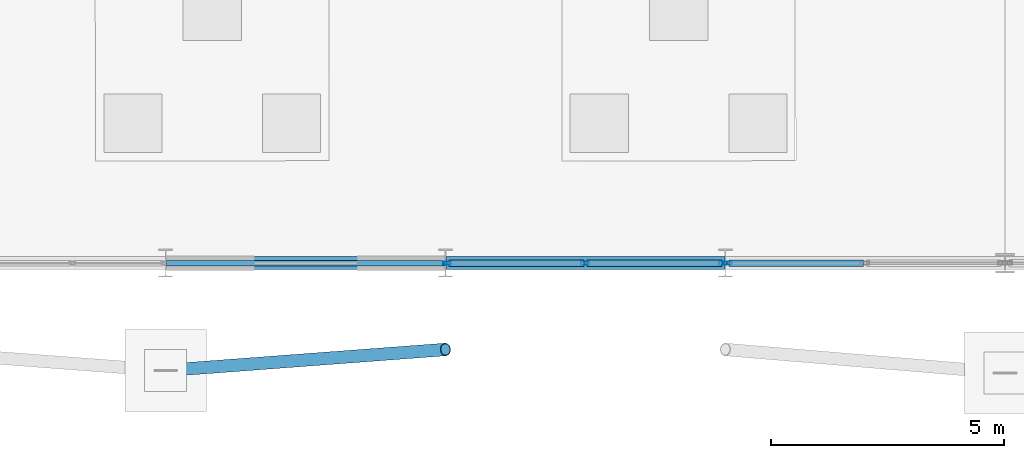
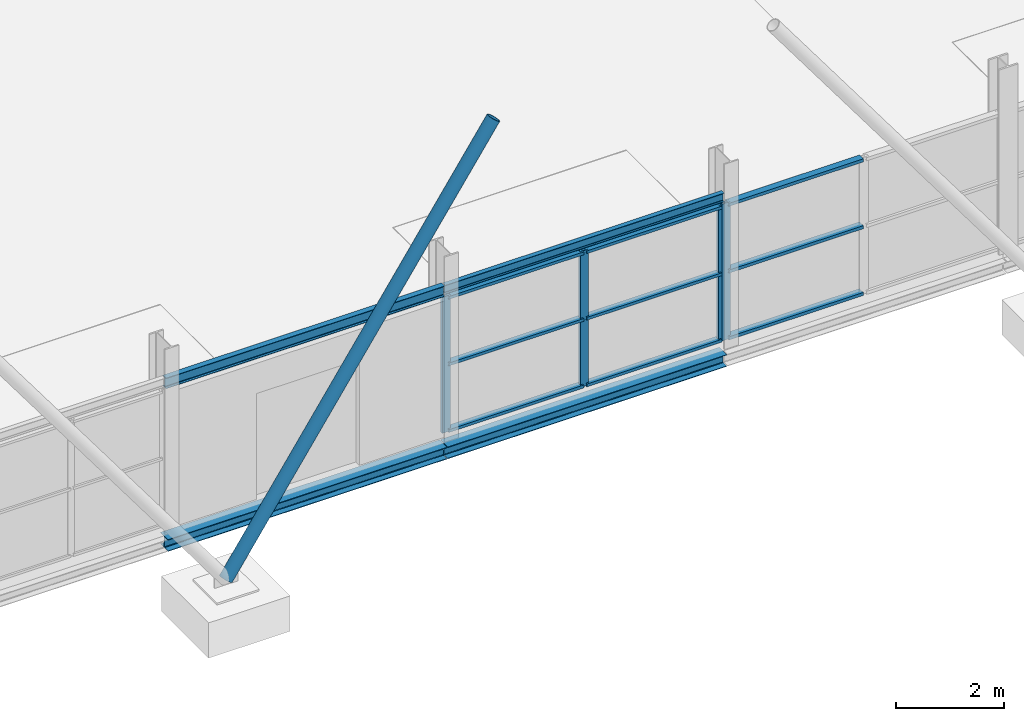
# One storey, part 26 of 140: 14 members, 4 beams, 2 elements without a shape of their own.
"""IFC4 building model written with IfcOpenShell, lengths in metres."""

import ifcopenshell
import ifcopenshell.guid

model = None  # the IFC model being written
_history = None  # IfcOwnerHistory: only IFC2X3 demands one
_inside = {}  # id of a spatial element -> (the spatial element, [elements in it])
_under = {}  # id of a project, library or spatial element -> (it, [spatial elements below it])
_declared = {}  # id of a project -> (the project, [libraries it declares])
_typed = {}  # id of a type object -> (the type object, [elements of that type])
_made_of = {}  # id of a material, layer set ... -> (it, [elements and type objects made of it])


def new_model(schema):
    """Start an empty IFC model of exactly this schema.

    Asked for "IFC4X3", IfcOpenShell would pick the latest addendum, in which some entities
    have other attributes; the version numbers below select the first issue.
    IFC2X3 requires an IfcOwnerHistory on every rooted entity: one is made here for all.
    """
    global model, _history
    if schema == "IFC4X3":
        model = ifcopenshell.file(schema_version=(4, 3, 0, 0))
    else:
        model = ifcopenshell.file(schema=schema)
    _inside.clear()
    _under.clear()
    _declared.clear()
    _typed.clear()
    _made_of.clear()
    _history = None
    if model.schema == "IFC2X3":
        org = make("IfcOrganization", Name="unknown")
        user = make(
            "IfcPersonAndOrganization",
            ThePerson=make("IfcPerson", FamilyName="unknown"),
            TheOrganization=org,
        )
        app = make(
            "IfcApplication",
            ApplicationDeveloper=org,
            Version="unknown",
            ApplicationFullName="unknown",
            ApplicationIdentifier="unknown",
        )
        _history = make(
            "IfcOwnerHistory",
            OwningUser=user,
            OwningApplication=app,
            ChangeAction="ADDED",
            CreationDate=0,
        )
    return model


def make(cls, **values):
    """One entity of the class cls with the attributes given. An attribute that is None is left unset."""
    return model.create_entity(
        cls, **{name: value for name, value in values.items() if value is not None}
    )


def rooted(cls, **values):
    """An entity with a GlobalId (a new one), such as an element, a storey or a relation."""
    return make(cls, GlobalId=ifcopenshell.guid.new(), OwnerHistory=_history, **values)


def si_unit(unit_type, name, prefix=None):
    """IfcSIUnit, for example si_unit("LENGTHUNIT", "METRE", prefix="MILLI")."""
    return make("IfcSIUnit", UnitType=unit_type, Prefix=prefix, Name=name)


def assignment(units):
    """IfcUnitAssignment: the units of a project."""
    return None if units is None else make("IfcUnitAssignment", Units=units)


def point(xyz):
    """IfcCartesianPoint."""
    return None if xyz is None else make("IfcCartesianPoint", Coordinates=xyz)


def direction(xyz):
    """IfcDirection."""
    return None if xyz is None else make("IfcDirection", DirectionRatios=xyz)


def frame(location, z_axis=None, x_axis=None):
    """IfcAxis2Placement3D, a coordinate frame: its origin and axes. An axis left out is left unset."""
    return make(
        "IfcAxis2Placement3D",
        Location=point(location),
        Axis=direction(z_axis),
        RefDirection=direction(x_axis),
    )


def frame_2d(location, x_axis=None):
    """IfcAxis2Placement2D, a coordinate frame in the plane: its origin and x axis."""
    return make(
        "IfcAxis2Placement2D", Location=point(location), RefDirection=direction(x_axis)
    )


def origin():
    """The frame at (0, 0, 0) with its axes left unset."""
    return frame((0.0, 0.0, 0.0))


def origin_2d():
    """The frame at (0, 0) in the plane with its x axis left unset."""
    return frame_2d((0.0, 0.0))


def place(relative_to, where):
    """IfcLocalPlacement: puts the frame where relative to a parent placement (None: the world)."""
    return make(
        "IfcLocalPlacement", PlacementRelTo=relative_to, RelativePlacement=where
    )


def context(
    kind, dimensions, precision=None, world=None, true_north=None, identifier=None
):
    """IfcGeometricRepresentationContext, for example the 3D "Model" context."""
    return make(
        "IfcGeometricRepresentationContext",
        ContextIdentifier=identifier,
        ContextType=kind,
        CoordinateSpaceDimension=dimensions,
        Precision=precision,
        WorldCoordinateSystem=world,
        TrueNorth=true_north,
    )


def subcontext(parent, identifier, kind, view, scale=None):
    """IfcGeometricRepresentationSubContext, for example "Body" below "Model"."""
    return make(
        "IfcGeometricRepresentationSubContext",
        ContextIdentifier=identifier,
        ContextType=kind,
        ParentContext=parent,
        TargetScale=scale,
        TargetView=view,
    )


def project(units=None, contexts=None):
    """IfcProject with its units and contexts."""
    return rooted(
        "IfcProject",
        Name="project",
        RepresentationContexts=contexts,
        UnitsInContext=assignment(units),
    )


def spatial(cls, under=None, at=None, **own):
    """A site, building, storey or space (cls), placed at a placement, below another one or the project."""
    s = rooted(cls, ObjectPlacement=at, **own)
    if under is not None:
        _under.setdefault(under.id(), (under, []))[1].append(s)
    return s


def profile(cls, at=None, kind="AREA", **sizes):
    """A parametric profile (cls). Its sizes go by their IFC names, for example OverallWidth=200.0."""
    return make(cls, ProfileType=kind, Position=at, **sizes)


def hollow_rectangle(**sizes):
    """IfcRectangleHollowProfileDef."""
    return profile("IfcRectangleHollowProfileDef", **sizes)


def hollow_circle(**sizes):
    """IfcCircleHollowProfileDef."""
    return profile("IfcCircleHollowProfileDef", **sizes)


def i_section(**sizes):
    """IfcIShapeProfileDef."""
    return profile("IfcIShapeProfileDef", **sizes)


def extrude(swept, where, along, depth):
    """IfcExtrudedAreaSolid: the profile swept, set in the frame where, extruded along a direction by depth."""
    return make(
        "IfcExtrudedAreaSolid",
        SweptArea=swept,
        Position=where,
        ExtrudedDirection=direction(along),
        Depth=depth,
    )


def shape(context_of_items, identifier, shape_type, items):
    """IfcShapeRepresentation: the items that make up one representation, for example the "Body"."""
    return make(
        "IfcShapeRepresentation",
        ContextOfItems=context_of_items,
        RepresentationIdentifier=identifier,
        RepresentationType=shape_type,
        Items=items,
    )


def material(Name=None, Category=None):
    """IfcMaterial."""
    return make("IfcMaterial", Name=Name, Category=Category)


def layer(
    of_material, thickness, ventilated=None, Name=None, Category=None, Priority=None
):
    """IfcMaterialLayer: one layer of a wall or slab, of a material (None: an air gap)."""
    return make(
        "IfcMaterialLayer",
        Material=of_material,
        LayerThickness=thickness,
        IsVentilated=ventilated,
        Name=Name,
        Category=Category,
        Priority=Priority,
    )


def layer_set(layers, Name=None):
    """IfcMaterialLayerSet."""
    return make("IfcMaterialLayerSet", MaterialLayers=layers, LayerSetName=Name)


def material_profile(
    of_material, cross_section, Name=None, Category=None, Priority=None
):
    """IfcMaterialProfile: a cross section and its material."""
    return make(
        "IfcMaterialProfile",
        Name=Name,
        Material=of_material,
        Profile=cross_section,
        Priority=Priority,
        Category=Category,
    )


def profile_set(profiles, Name=None, composite=None):
    """IfcMaterialProfileSet."""
    return make(
        "IfcMaterialProfileSet",
        Name=Name,
        MaterialProfiles=profiles,
        CompositeProfile=composite,
    )


def made_of(thing, what):
    """Note that an element or type object is made of a material, layer set ...; save() writes the relation."""
    if what is not None:
        _made_of.setdefault(what.id(), (what, []))[1].append(thing)
    return thing


def type_object(cls, material=None, **own):
    """A type object (cls), such as IfcWallType, which elements share."""
    return made_of(rooted(cls, **own), material)


def element(
    cls,
    number,
    at=None,
    inside=None,
    cuts=None,
    type_object=None,
    material=None,
    context=None,
    identifier="Body",
    shape_type=None,
    held_by="IfcProductDefinitionShape",
    body=None,
    shapes=None,
    **own,
):
    """One element of the class cls, such as IfcWall. Its Tag is "e" and its number.

    at: its placement. inside: the storey or other place that contains it. cuts: it is an
    opening in that element (IfcRelVoidsElement). A single representation is given by context,
    identifier, shape_type and body (its items); several are given by shapes. held_by: the class
    of the entity that holds the representations. save() writes the other relations.
    """
    e = rooted(cls, Tag="e%d" % number, ObjectPlacement=at, **own)
    if body is not None:
        shapes = [shape(context, identifier, shape_type, body)]
    if shapes is not None:
        e.Representation = make(held_by, Representations=shapes)
    if inside is not None:
        _inside.setdefault(inside.id(), (inside, []))[1].append(e)
    if cuts is not None:
        rooted(
            "IfcRelVoidsElement", RelatingBuildingElement=cuts, RelatedOpeningElement=e
        )
    if type_object is not None:
        _typed.setdefault(type_object.id(), (type_object, []))[1].append(e)
    return made_of(e, material)


def aggregate(whole, parts):
    """IfcRelAggregates: a whole, such as a stair, and the parts it consists of."""
    return rooted("IfcRelAggregates", RelatingObject=whole, RelatedObjects=parts)


def save(model, path):
    """Write the relations noted so far, then the file.

    IfcRelAggregates (storeys below a building ...), IfcRelContainedInSpatialStructure (elements
    in a storey), IfcRelDefinesByType, IfcRelAssociatesMaterial and IfcRelDeclares: one each for
    every whole, place, type object, material and project.
    """
    for whole, parts in _under.values():
        aggregate(whole, parts)
    for where, things in _inside.values():
        rooted(
            "IfcRelContainedInSpatialStructure",
            RelatedElements=things,
            RelatingStructure=where,
        )
    for kind, things in _typed.values():
        rooted("IfcRelDefinesByType", RelatedObjects=things, RelatingType=kind)
    for what, things in _made_of.values():
        rooted("IfcRelAssociatesMaterial", RelatedObjects=things, RelatingMaterial=what)
    for by, libraries in _declared.values():
        rooted("IfcRelDeclares", RelatingContext=by, RelatedDefinitions=libraries)
    model.write(path)


model = new_model("IFC4")

# Units and contexts
model_context = context("Model", 3, precision=1e-05, world=origin(), true_north=direction((0.0, 1.0)))
body_context = subcontext(model_context, "Body", "Model", "MODEL_VIEW")
ifc_project = project(units=[si_unit("LENGTHUNIT", "METRE"), si_unit("AREAUNIT", "SQUARE_METRE"), si_unit("VOLUMEUNIT", "CUBIC_METRE"), si_unit("PLANEANGLEUNIT", "RADIAN"), si_unit("MASSUNIT", "GRAM", prefix="KILO")], contexts=[model_context])

# Site, building, storey
site_placement = place(None, origin())
site = spatial("IfcSite", under=ifc_project, at=site_placement, CompositionType="ELEMENT")
building_placement = place(site_placement, origin())
building = spatial("IfcBuilding", under=site, at=building_placement, Name="Deido Ridge Mobility Hub", CompositionType="ELEMENT")
storey_placement = place(building_placement, origin())
storey = spatial("IfcBuildingStorey", under=building, at=storey_placement, Name="L00", CompositionType="ELEMENT", Elevation=0.0)

# Beams
ifc_material_1 = material(Name="Steel S355J2 EN 10025-2", Category="steel")
ifc_material_profile_1 = material_profile(ifc_material_1, i_section(OverallWidth=0.10009765625, OverallDepth=0.199951171875, WebThickness=0.005615234375, FlangeThickness=0.008544921875, FilletRadius=0.011962890625, at=origin_2d()), Name="IPE 200")
ifc_profile_set_1 = profile_set([ifc_material_profile_1], Name="Steel S355J2 EN 10025-2")
beam_type_1 = type_object("IfcBeamType", Name="LNT-IPE200", PredefinedType="LINTEL", material=ifc_profile_set_1)
beam_1_placement = place(storey_placement, frame((18.0078125, 0.0, 3.25), z_axis=(1.0, 0.0, 0.0), x_axis=(0.0, 1.0, 0.0)))
element("IfcBeam", 1, at=beam_1_placement, inside=storey, type_object=beam_type_1, Name="Opening lintel LN2", PredefinedType="LINTEL", context=body_context, shape_type="SweptSolid", body=[
    extrude(i_section(OverallWidth=0.10009765625, OverallDepth=0.199951171875, WebThickness=0.005615234375, FlangeThickness=0.008544921875, FilletRadius=0.011962890625, at=origin_2d()), origin(), (0.0, 0.0, 1.0), 5.984375),
])
ifc_material_profile_2 = material_profile(ifc_material_1, i_section(OverallWidth=0.1201171875, OverallDepth=0.239990234375, WebThickness=0.006103515625, FlangeThickness=0.009765625, FilletRadius=0.014892578125, at=origin_2d()), Name="IPE 240")
ifc_profile_set_2 = profile_set([ifc_material_profile_2], Name="Steel S355J2 EN 10025-2")
beam_type_2 = type_object("IfcBeamType", Name="LNT-IPE240", PredefinedType="LINTEL", material=ifc_profile_set_2)
beam_2_placement = place(storey_placement, frame((12.0078125, 0.0, 3.22998046875), z_axis=(1.0, 0.0, 0.0), x_axis=(0.0, 1.0, 0.0)))
element("IfcBeam", 2, at=beam_2_placement, inside=storey, type_object=beam_type_2, Name="Opening lintel LN1", PredefinedType="LINTEL", context=body_context, shape_type="SweptSolid", body=[
    extrude(i_section(OverallWidth=0.1201171875, OverallDepth=0.239990234375, WebThickness=0.006103515625, FlangeThickness=0.009765625, FilletRadius=0.014892578125, at=origin_2d()), origin(), (0.0, 0.0, 1.0), 5.984375),
])

# Member
ifc_material_2 = material(Name="Steel S355J2H EN 10210-1", Category="steel")
ifc_material_profile_3 = material_profile(ifc_material_2, hollow_circle(Radius=0.136474609375, WallThickness=0.012451171875, at=origin_2d()), Name="CHS 273x12.5")
ifc_profile_set_3 = profile_set([ifc_material_profile_3], Name="Steel S355J2H EN 10210-1")
member_type_1 = type_object("IfcMemberType", Name="MEM-BRC-CHS273", PredefinedType="BRACE", material=ifc_profile_set_3)
member_1_placement = place(storey_placement, frame((12.0, -2.300048828125, 0.1650390625), z_axis=(0.595347530375, 0.044646219828, 0.80222692122), x_axis=(-0.074781878398, 0.997199915094, 0.0)))
element("IfcMember", 3, at=member_1_placement, inside=storey, type_object=member_type_1, Name="Deconstructivist exoskeleton raked V-strut BR1", PredefinedType="BRACE", context=body_context, shape_type="SweptSolid", body=[
    extrude(hollow_circle(Radius=0.136474609375, WallThickness=0.012451171875, at=origin_2d()), origin(), (0.0, 0.0, 1.0), 10.078125),
])

# Curtain wall, members
ifc_material_3 = material(Name="Anodised aluminium EN AW-6063 T6", Category="aluminium")
ifc_layer_1 = layer(ifc_material_3, 0.2099609375, Name="Anodised aluminium EN AW-6063 T6")
ifc_layer_set_1 = layer_set([ifc_layer_1], Name="Anodised aluminium EN AW-6063 T6")
curtain_wall_type_1 = type_object("IfcCurtainWallType", Name="CW-UF-4", PredefinedType="USERDEFINED", material=ifc_layer_set_1)
curtain_wall_1_placement = place(storey_placement, origin())
curtain_wall_1 = element("IfcCurtainWall", 4, at=curtain_wall_1_placement, inside=storey, type_object=curtain_wall_type_1, Name="Unitised curtain wall CW4", ObjectType="UNITISED FACADE", PredefinedType="USERDEFINED")
ifc_material_profile_4 = material_profile(ifc_material_3, hollow_rectangle(XDim=0.06494140625, YDim=0.175048828125, WallThickness=0.00390625, at=origin_2d()), Name="RHS 65x175x4")
ifc_profile_set_4 = profile_set([ifc_material_profile_4], Name="Anodised aluminium EN AW-6063 T6")
member_type_2 = type_object("IfcMemberType", Name="MEM-MUL-65X175", PredefinedType="MULLION", material=ifc_profile_set_4)
member_2_placement = place(storey_placement, frame((18.040283203125, 0.0, 0.0), z_axis=(0.0, 0.0, 1.0), x_axis=(0.0, 1.0, 0.0)))
member_2 = element("IfcMember", 5, at=member_2_placement, type_object=member_type_2, Name="CW4 mullion 1", PredefinedType="MULLION", context=body_context, shape_type="SweptSolid", body=[
    extrude(hollow_rectangle(XDim=0.06494140625, YDim=0.175048828125, WallThickness=0.00390625, at=origin_2d()), origin(), (0.0, 0.0, 1.0), 3.0849609375),
])
member_3_placement = place(storey_placement, frame((21.0, 0.0, 0.0), z_axis=(0.0, 0.0, 1.0), x_axis=(0.0, 1.0, 0.0)))
member_3 = element("IfcMember", 6, at=member_3_placement, type_object=member_type_2, Name="CW4 mullion 2", PredefinedType="MULLION", context=body_context, shape_type="SweptSolid", body=[
    extrude(hollow_rectangle(XDim=0.06494140625, YDim=0.175048828125, WallThickness=0.00390625, at=origin_2d()), origin(), (0.0, 0.0, 1.0), 3.0849609375),
])
member_4_placement = place(storey_placement, frame((23.959716796875, 0.0, 0.0), z_axis=(0.0, 0.0, 1.0), x_axis=(0.0, 1.0, 0.0)))
member_4 = element("IfcMember", 7, at=member_4_placement, type_object=member_type_2, Name="CW4 mullion 3", PredefinedType="MULLION", context=body_context, shape_type="SweptSolid", body=[
    extrude(hollow_rectangle(XDim=0.06494140625, YDim=0.175048828125, WallThickness=0.00390625, at=origin_2d()), origin(), (0.0, 0.0, 1.0), 3.0849609375),
])

# Curtain wall, member
ifc_layer_2 = layer(ifc_material_3, 0.22509765625, Name="Anodised aluminium EN AW-6063 T6")
ifc_layer_set_2 = layer_set([ifc_layer_2], Name="Anodised aluminium EN AW-6063 T6")
curtain_wall_type_2 = type_object("IfcCurtainWallType", Name="CW-UF-5", PredefinedType="USERDEFINED", material=ifc_layer_set_2)
curtain_wall_2_placement = place(storey_placement, origin())
curtain_wall_2 = element("IfcCurtainWall", 8, at=curtain_wall_2_placement, inside=storey, type_object=curtain_wall_type_2, Name="Unitised curtain wall CW5", ObjectType="UNITISED FACADE", PredefinedType="USERDEFINED")
ifc_material_profile_5 = material_profile(ifc_material_3, hollow_rectangle(XDim=0.070068359375, YDim=0.18994140625, WallThickness=0.00390625, at=origin_2d()), Name="RHS 70x190x4")
ifc_profile_set_5 = profile_set([ifc_material_profile_5], Name="Anodised aluminium EN AW-6063 T6")
member_type_3 = type_object("IfcMemberType", Name="MEM-MUL-70X190", PredefinedType="MULLION", material=ifc_profile_set_5)
member_5_placement = place(storey_placement, frame((24.042724609375, 0.0, 0.0), z_axis=(0.0, 0.0, 1.0), x_axis=(0.0, 1.0, 0.0)))
member_5 = element("IfcMember", 9, at=member_5_placement, type_object=member_type_3, Name="CW5 mullion 1", PredefinedType="MULLION", context=body_context, shape_type="SweptSolid", body=[
    extrude(hollow_rectangle(XDim=0.070068359375, YDim=0.18994140625, WallThickness=0.00390625, at=origin_2d()), origin(), (0.0, 0.0, 1.0), 3.10009765625),
])

# Member
ifc_material_profile_6 = material_profile(ifc_material_3, hollow_rectangle(XDim=0.135009765625, YDim=0.06494140625, WallThickness=0.00390625, at=origin_2d()), Name="RHS 135x65x4")
ifc_profile_set_6 = profile_set([ifc_material_profile_6], Name="Anodised aluminium EN AW-6063 T6")
member_type_4 = type_object("IfcMemberType", Name="MEM-TRN-135X65", PredefinedType="USERDEFINED", material=ifc_profile_set_6)
member_6_placement = place(storey_placement, frame((18.07275390625, 0.0, 0.032470703125), z_axis=(1.0, 0.0, 0.0), x_axis=(0.0, 1.0, 0.0)))
member_6 = element("IfcMember", 10, at=member_6_placement, type_object=member_type_4, Name="CW4 transom 1.1", ObjectType="TRANSOM", PredefinedType="USERDEFINED", context=body_context, shape_type="SweptSolid", body=[
    extrude(hollow_rectangle(XDim=0.135009765625, YDim=0.06494140625, WallThickness=0.00390625, at=origin_2d()), origin(), (0.0, 0.0, 1.0), 2.894775390625),
])

member_7_placement = place(storey_placement, frame((18.07275390625, 0.0, 1.54248046875), z_axis=(1.0, 0.0, 0.0), x_axis=(0.0, 1.0, 0.0)))
member_7 = element("IfcMember", 11, at=member_7_placement, type_object=member_type_4, Name="CW4 transom 1.2", ObjectType="TRANSOM", PredefinedType="USERDEFINED", context=body_context, shape_type="SweptSolid", body=[
    extrude(hollow_rectangle(XDim=0.135009765625, YDim=0.06494140625, WallThickness=0.00390625, at=origin_2d()), origin(), (0.0, 0.0, 1.0), 2.894775390625),
])

member_8_placement = place(storey_placement, frame((18.07275390625, 0.0, 3.052490234375), z_axis=(1.0, 0.0, 0.0), x_axis=(0.0, 1.0, 0.0)))
member_8 = element("IfcMember", 12, at=member_8_placement, type_object=member_type_4, Name="CW4 transom 1.3", ObjectType="TRANSOM", PredefinedType="USERDEFINED", context=body_context, shape_type="SweptSolid", body=[
    extrude(hollow_rectangle(XDim=0.135009765625, YDim=0.06494140625, WallThickness=0.00390625, at=origin_2d()), origin(), (0.0, 0.0, 1.0), 2.894775390625),
])

member_9_placement = place(storey_placement, frame((21.032470703125, 0.0, 0.032470703125), z_axis=(1.0, 0.0, 0.0), x_axis=(0.0, 1.0, 0.0)))
member_9 = element("IfcMember", 13, at=member_9_placement, type_object=member_type_4, Name="CW4 transom 2.1", ObjectType="TRANSOM", PredefinedType="USERDEFINED", context=body_context, shape_type="SweptSolid", body=[
    extrude(hollow_rectangle(XDim=0.135009765625, YDim=0.06494140625, WallThickness=0.00390625, at=origin_2d()), origin(), (0.0, 0.0, 1.0), 2.894775390625),
])

member_10_placement = place(storey_placement, frame((21.032470703125, 0.0, 1.54248046875), z_axis=(1.0, 0.0, 0.0), x_axis=(0.0, 1.0, 0.0)))
member_10 = element("IfcMember", 14, at=member_10_placement, type_object=member_type_4, Name="CW4 transom 2.2", ObjectType="TRANSOM", PredefinedType="USERDEFINED", context=body_context, shape_type="SweptSolid", body=[
    extrude(hollow_rectangle(XDim=0.135009765625, YDim=0.06494140625, WallThickness=0.00390625, at=origin_2d()), origin(), (0.0, 0.0, 1.0), 2.894775390625),
])

member_11_placement = place(storey_placement, frame((21.032470703125, 0.0, 3.052490234375), z_axis=(1.0, 0.0, 0.0), x_axis=(0.0, 1.0, 0.0)))
member_11 = element("IfcMember", 15, at=member_11_placement, type_object=member_type_4, Name="CW4 transom 2.3", ObjectType="TRANSOM", PredefinedType="USERDEFINED", context=body_context, shape_type="SweptSolid", body=[
    extrude(hollow_rectangle(XDim=0.135009765625, YDim=0.06494140625, WallThickness=0.00390625, at=origin_2d()), origin(), (0.0, 0.0, 1.0), 2.894775390625),
])

aggregate(curtain_wall_1, [member_2, member_3, member_4, member_6, member_7, member_8, member_9, member_10, member_11])

ifc_material_profile_7 = material_profile(ifc_material_3, hollow_rectangle(XDim=0.14501953125, YDim=0.070068359375, WallThickness=0.00390625, at=origin_2d()), Name="RHS 145x70x4")
ifc_profile_set_7 = profile_set([ifc_material_profile_7], Name="Anodised aluminium EN AW-6063 T6")
member_type_5 = type_object("IfcMemberType", Name="MEM-TRN-145X70", PredefinedType="USERDEFINED", material=ifc_profile_set_7)
member_12_placement = place(storey_placement, frame((24.077880859375, 0.0, 0.034912109375), z_axis=(1.0, 0.0, 0.0), x_axis=(0.0, 1.0, 0.0)))
member_12 = element("IfcMember", 16, at=member_12_placement, type_object=member_type_5, Name="CW5 transom 1.1", ObjectType="TRANSOM", PredefinedType="USERDEFINED", context=body_context, shape_type="SweptSolid", body=[
    extrude(hollow_rectangle(XDim=0.14501953125, YDim=0.070068359375, WallThickness=0.00390625, at=origin_2d()), origin(), (0.0, 0.0, 1.0), 2.885009765625),
])

member_13_placement = place(storey_placement, frame((24.077880859375, 0.0, 1.550048828125), z_axis=(1.0, 0.0, 0.0), x_axis=(0.0, 1.0, 0.0)))
member_13 = element("IfcMember", 17, at=member_13_placement, type_object=member_type_5, Name="CW5 transom 1.2", ObjectType="TRANSOM", PredefinedType="USERDEFINED", context=body_context, shape_type="SweptSolid", body=[
    extrude(hollow_rectangle(XDim=0.14501953125, YDim=0.070068359375, WallThickness=0.00390625, at=origin_2d()), origin(), (0.0, 0.0, 1.0), 2.885009765625),
])

member_14_placement = place(storey_placement, frame((24.077880859375, 0.0, 3.06494140625), z_axis=(1.0, 0.0, 0.0), x_axis=(0.0, 1.0, 0.0)))
member_14 = element("IfcMember", 18, at=member_14_placement, type_object=member_type_5, Name="CW5 transom 1.3", ObjectType="TRANSOM", PredefinedType="USERDEFINED", context=body_context, shape_type="SweptSolid", body=[
    extrude(hollow_rectangle(XDim=0.14501953125, YDim=0.070068359375, WallThickness=0.00390625, at=origin_2d()), origin(), (0.0, 0.0, 1.0), 2.885009765625),
])

aggregate(curtain_wall_2, [member_5, member_12, member_13, member_14])

# Beams
ifc_material_profile_8 = material_profile(ifc_material_1, i_section(OverallWidth=0.280029296875, OverallDepth=0.27001953125, WebThickness=0.008056640625, FlangeThickness=0.012939453125, FilletRadius=0.02392578125, at=origin_2d()), Name="HEA 280")
ifc_profile_set_8 = profile_set([ifc_material_profile_8], Name="Steel S355J2 EN 10025-2")
beam_type_3 = type_object("IfcBeamType", Name="SPD-HEA280", PredefinedType="SPANDREL", material=ifc_profile_set_8)
for number, where, z_axis, x_axis, name in (
    (19, (12.0078125, 0.0, -0.39501953125), (1.0, 0.0, 0.0), (0.0, 1.0, 0.0), "Floor beam SP2"),
    (20, (18.0078125, 0.0, -0.39501953125), (1.0, 0.0, 0.0), (0.0, 1.0, 0.0), "Floor beam SP2"),
):
    element("IfcBeam", number, at=place(storey_placement, frame(where, z_axis=z_axis, x_axis=x_axis)), inside=storey, type_object=beam_type_3, Name=name, PredefinedType="SPANDREL", context=body_context, shape_type="SweptSolid", body=[
        extrude(i_section(OverallWidth=0.280029296875, OverallDepth=0.27001953125, WebThickness=0.008056640625, FlangeThickness=0.012939453125, FilletRadius=0.02392578125, at=origin_2d()), origin(), (0.0, 0.0, 1.0), 5.984375),
    ])

save(model, "model.ifc")
